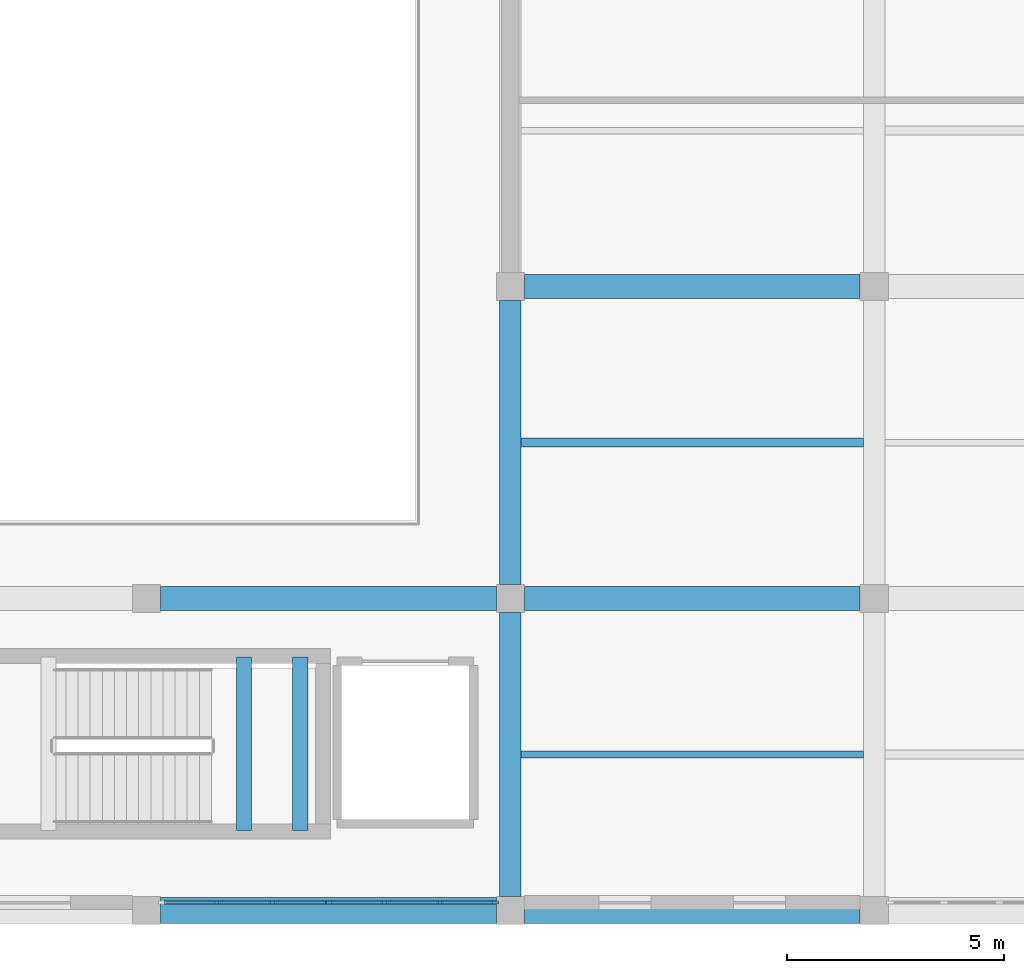
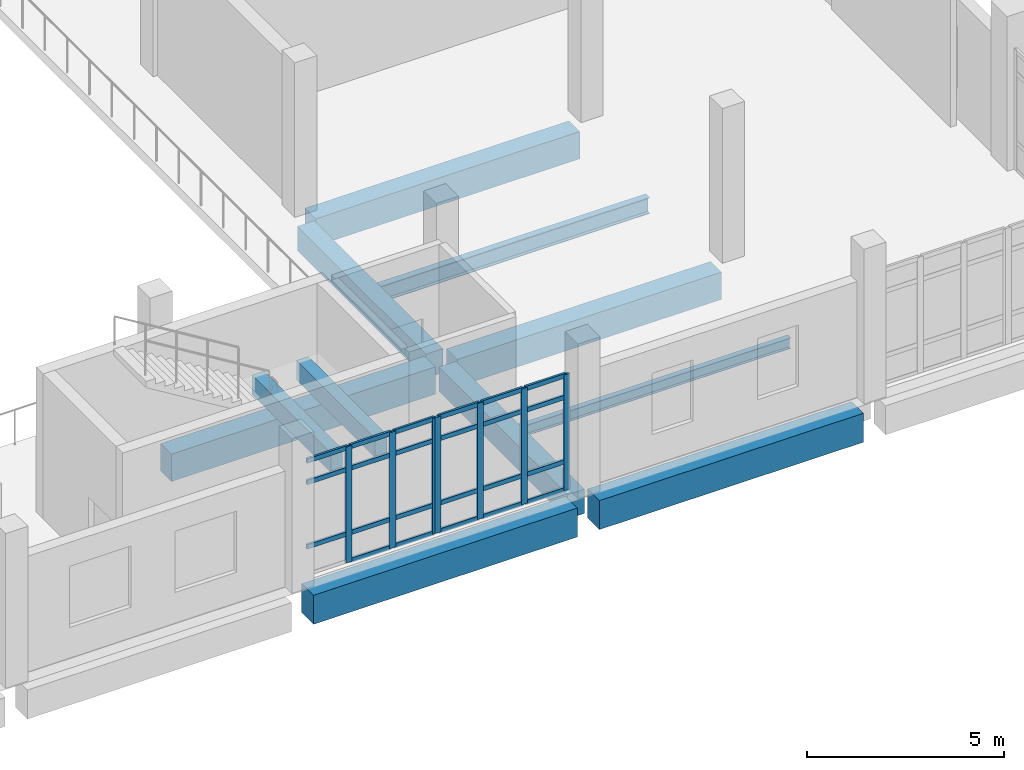
# One storey, part 3 of 90: 30 members, 11 beams, 2 elements without a shape of their own.
"""IFC4 building model written with IfcOpenShell, lengths in metres."""

from ifc_helpers import new_model, si_unit, direction, frame, origin, origin_2d, place, context, subcontext, project, spatial, rectangle, i_section, extrude, material, layer, layer_set, material_profile, profile_set, type_object, element, aggregate, save


model = new_model("IFC4")

# Units and contexts
model_context = context("Model", 3, precision=1e-05, world=origin(), true_north=direction((0.0, 1.0)))
body_context = subcontext(model_context, "Body", "Model", "MODEL_VIEW")
ifc_project = project(units=[si_unit("LENGTHUNIT", "METRE"), si_unit("AREAUNIT", "SQUARE_METRE"), si_unit("VOLUMEUNIT", "CUBIC_METRE"), si_unit("PLANEANGLEUNIT", "RADIAN"), si_unit("MASSUNIT", "GRAM", prefix="KILO")], contexts=[model_context])

# Site, building, storey
site_placement = place(None, origin())
site = spatial("IfcSite", under=ifc_project, at=site_placement, CompositionType="ELEMENT")
building_placement = place(site_placement, origin())
building = spatial("IfcBuilding", under=site, at=building_placement, Name="Kelarvand Opera House", CompositionType="ELEMENT")
storey_placement = place(building_placement, frame((0.0, 0.0, 5.39990234375)))
storey = spatial("IfcBuildingStorey", under=building, at=storey_placement, Name="L01", CompositionType="ELEMENT", Elevation=5.39990234375)

# Curtain wall, members
ifc_material_1 = material(Name="Thermally broken aluminium and low-E glazing", Category="aluminium")
ifc_layer = layer(ifc_material_1, 0.179931640625, Name="Thermally broken aluminium and low-E glazing", Category="aluminium")
ifc_layer_set = layer_set([ifc_layer], Name="Thermally broken aluminium and low-E glazing")
curtain_wall_type = type_object("IfcCurtainWallType", Name="Unitised Low-E Curtain Wall 3861x3600 Mod 1350 CWF-17", PredefinedType="USERDEFINED", material=ifc_layer_set)
curtain_wall_1_placement = place(storey_placement, origin())
curtain_wall_1 = element("IfcCurtainWall", 1, at=curtain_wall_1_placement, inside=storey, type_object=curtain_wall_type, Name="V4 L01 Curtain Wall CWF-17 (135)", ObjectType="UNITISED CURTAIN WALL", PredefinedType="USERDEFINED")
ifc_material_2 = material(Name="Thermally broken anodised aluminium", Category="aluminium")
ifc_material_profile_1 = material_profile(ifc_material_2, rectangle(XDim=0.06494140625, YDim=0.179931640625, at=origin_2d()), Name="ALU MULLION 65x180", Category="aluminium")
ifc_profile_set_1 = profile_set([ifc_material_profile_1], Name="Thermally broken anodised aluminium")
member_type_1 = type_object("IfcMemberType", Name="Curtain Wall Mullion 65x180 Aluminium", PredefinedType="MULLION", material=ifc_profile_set_1)
member_1_placement = place(storey_placement, frame((33.83251953125, 9.179931640625, 0.0), z_axis=(0.0, 0.0, 1.0), x_axis=(0.0, -1.0, 0.0)))
member_1 = element("IfcMember", 2, at=member_1_placement, type_object=member_type_1, Name="CWF-17 mullion 1", PredefinedType="MULLION", context=body_context, shape_type="SweptSolid", body=[
    extrude(rectangle(XDim=0.06494140625, YDim=0.179931640625, at=origin_2d()), origin(), (0.0, 0.0, 1.0), 3.60009765625),
])
member_2_placement = place(storey_placement, frame((32.577880859375, 9.179931640625, 0.0), z_axis=(0.0, 0.0, 1.0), x_axis=(0.0, -1.0, 0.0)))
member_2 = element("IfcMember", 3, at=member_2_placement, type_object=member_type_1, Name="CWF-17 mullion 2", PredefinedType="MULLION", context=body_context, shape_type="SweptSolid", body=[
    extrude(rectangle(XDim=0.06494140625, YDim=0.179931640625, at=origin_2d()), origin(), (0.0, 0.0, 1.0), 3.60009765625),
])
member_3_placement = place(storey_placement, frame((31.291015625, 9.179931640625, 0.0), z_axis=(0.0, 0.0, 1.0), x_axis=(0.0, -1.0, 0.0)))
member_3 = element("IfcMember", 4, at=member_3_placement, type_object=member_type_1, Name="CWF-17 mullion 3", PredefinedType="MULLION", context=body_context, shape_type="SweptSolid", body=[
    extrude(rectangle(XDim=0.06494140625, YDim=0.179931640625, at=origin_2d()), origin(), (0.0, 0.0, 1.0), 3.60009765625),
])
member_4_placement = place(storey_placement, frame((30.03662109375, 9.179931640625, 0.0), z_axis=(0.0, 0.0, 1.0), x_axis=(0.0, -1.0, 0.0)))
member_4 = element("IfcMember", 5, at=member_4_placement, type_object=member_type_1, Name="CWF-17 mullion 4", PredefinedType="MULLION", context=body_context, shape_type="SweptSolid", body=[
    extrude(rectangle(XDim=0.06494140625, YDim=0.179931640625, at=origin_2d()), origin(), (0.0, 0.0, 1.0), 3.60009765625),
])

curtain_wall_2_placement = place(storey_placement, origin())
curtain_wall_2 = element("IfcCurtainWall", 6, at=curtain_wall_2_placement, inside=storey, type_object=curtain_wall_type, Name="V4 L01 Curtain Wall CWF-17 (136)", ObjectType="UNITISED CURTAIN WALL", PredefinedType="USERDEFINED")
member_5_placement = place(storey_placement, frame((29.967529296875, 9.179931640625, 0.0), z_axis=(0.0, 0.0, 1.0), x_axis=(0.0, -1.0, 0.0)))
member_5 = element("IfcMember", 7, at=member_5_placement, type_object=member_type_1, Name="CWF-17 mullion 1", PredefinedType="MULLION", context=body_context, shape_type="SweptSolid", body=[
    extrude(rectangle(XDim=0.06494140625, YDim=0.179931640625, at=origin_2d()), origin(), (0.0, 0.0, 1.0), 3.60009765625),
])
member_6_placement = place(storey_placement, frame((28.711669921875, 9.179931640625, 0.0), z_axis=(0.0, 0.0, 1.0), x_axis=(0.0, -1.0, 0.0)))
member_6 = element("IfcMember", 8, at=member_6_placement, type_object=member_type_1, Name="CWF-17 mullion 2", PredefinedType="MULLION", context=body_context, shape_type="SweptSolid", body=[
    extrude(rectangle(XDim=0.06494140625, YDim=0.179931640625, at=origin_2d()), origin(), (0.0, 0.0, 1.0), 3.60009765625),
])
member_7_placement = place(storey_placement, frame((27.42333984375, 9.179931640625, 0.0), z_axis=(0.0, 0.0, 1.0), x_axis=(0.0, -1.0, 0.0)))
member_7 = element("IfcMember", 9, at=member_7_placement, type_object=member_type_1, Name="CWF-17 mullion 3", PredefinedType="MULLION", context=body_context, shape_type="SweptSolid", body=[
    extrude(rectangle(XDim=0.06494140625, YDim=0.179931640625, at=origin_2d()), origin(), (0.0, 0.0, 1.0), 3.60009765625),
])

# Member
ifc_material_profile_2 = material_profile(ifc_material_2, rectangle(XDim=0.06494140625, YDim=0.139892578125, at=origin_2d()), Name="ALU TRANSOM 65x140", Category="aluminium")
ifc_profile_set_2 = profile_set([ifc_material_profile_2], Name="Thermally broken anodised aluminium")
member_type_2 = type_object("IfcMemberType", Name="Curtain Wall Transom 65x140 Aluminium", PredefinedType="USERDEFINED", material=ifc_profile_set_2)
member_8_placement = place(storey_placement, frame((33.800048828125, 9.179931640625, 0.03271484375), z_axis=(-1.0, 0.0, 0.0), x_axis=(0.0, -1.0, 0.0)))
member_8 = element("IfcMember", 10, at=member_8_placement, type_object=member_type_2, Name="CWF-17 transom 1.1", ObjectType="TRANSOM", PredefinedType="USERDEFINED", context=body_context, shape_type="SweptSolid", body=[
    extrude(rectangle(XDim=0.06494140625, YDim=0.139892578125, at=origin_2d()), origin(), (0.0, 0.0, 1.0), 1.189453125),
])

member_9_placement = place(storey_placement, frame((33.800048828125, 9.179931640625, 0.900146484375), z_axis=(-1.0, 0.0, 0.0), x_axis=(0.0, -1.0, 0.0)))
member_9 = element("IfcMember", 11, at=member_9_placement, type_object=member_type_2, Name="CWF-17 transom 1.2", ObjectType="TRANSOM", PredefinedType="USERDEFINED", context=body_context, shape_type="SweptSolid", body=[
    extrude(rectangle(XDim=0.06494140625, YDim=0.139892578125, at=origin_2d()), origin(), (0.0, 0.0, 1.0), 1.189453125),
])

member_10_placement = place(storey_placement, frame((33.800048828125, 9.179931640625, 2.900146484375), z_axis=(-1.0, 0.0, 0.0), x_axis=(0.0, -1.0, 0.0)))
member_10 = element("IfcMember", 12, at=member_10_placement, type_object=member_type_2, Name="CWF-17 transom 1.3", ObjectType="TRANSOM", PredefinedType="USERDEFINED", context=body_context, shape_type="SweptSolid", body=[
    extrude(rectangle(XDim=0.06494140625, YDim=0.139892578125, at=origin_2d()), origin(), (0.0, 0.0, 1.0), 1.189453125),
])

member_11_placement = place(storey_placement, frame((33.800048828125, 9.179931640625, 3.567626953125), z_axis=(-1.0, 0.0, 0.0), x_axis=(0.0, -1.0, 0.0)))
member_11 = element("IfcMember", 13, at=member_11_placement, type_object=member_type_2, Name="CWF-17 transom 1.4", ObjectType="TRANSOM", PredefinedType="USERDEFINED", context=body_context, shape_type="SweptSolid", body=[
    extrude(rectangle(XDim=0.06494140625, YDim=0.139892578125, at=origin_2d()), origin(), (0.0, 0.0, 1.0), 1.189453125),
])

member_12_placement = place(storey_placement, frame((32.54541015625, 9.179931640625, 0.03271484375), z_axis=(-1.0, 0.0, 0.0), x_axis=(0.0, -1.0, 0.0)))
member_12 = element("IfcMember", 14, at=member_12_placement, type_object=member_type_2, Name="CWF-17 transom 2.1", ObjectType="TRANSOM", PredefinedType="USERDEFINED", context=body_context, shape_type="SweptSolid", body=[
    extrude(rectangle(XDim=0.06494140625, YDim=0.139892578125, at=origin_2d()), origin(), (0.0, 0.0, 1.0), 1.221923828125),
])

member_13_placement = place(storey_placement, frame((32.54541015625, 9.179931640625, 0.900146484375), z_axis=(-1.0, 0.0, 0.0), x_axis=(0.0, -1.0, 0.0)))
member_13 = element("IfcMember", 15, at=member_13_placement, type_object=member_type_2, Name="CWF-17 transom 2.2", ObjectType="TRANSOM", PredefinedType="USERDEFINED", context=body_context, shape_type="SweptSolid", body=[
    extrude(rectangle(XDim=0.06494140625, YDim=0.139892578125, at=origin_2d()), origin(), (0.0, 0.0, 1.0), 1.221923828125),
])

member_14_placement = place(storey_placement, frame((32.54541015625, 9.179931640625, 2.900146484375), z_axis=(-1.0, 0.0, 0.0), x_axis=(0.0, -1.0, 0.0)))
member_14 = element("IfcMember", 16, at=member_14_placement, type_object=member_type_2, Name="CWF-17 transom 2.3", ObjectType="TRANSOM", PredefinedType="USERDEFINED", context=body_context, shape_type="SweptSolid", body=[
    extrude(rectangle(XDim=0.06494140625, YDim=0.139892578125, at=origin_2d()), origin(), (0.0, 0.0, 1.0), 1.221923828125),
])

member_15_placement = place(storey_placement, frame((32.54541015625, 9.179931640625, 3.567626953125), z_axis=(-1.0, 0.0, 0.0), x_axis=(0.0, -1.0, 0.0)))
member_15 = element("IfcMember", 17, at=member_15_placement, type_object=member_type_2, Name="CWF-17 transom 2.4", ObjectType="TRANSOM", PredefinedType="USERDEFINED", context=body_context, shape_type="SweptSolid", body=[
    extrude(rectangle(XDim=0.06494140625, YDim=0.139892578125, at=origin_2d()), origin(), (0.0, 0.0, 1.0), 1.221923828125),
])

member_16_placement = place(storey_placement, frame((31.258544921875, 9.179931640625, 0.03271484375), z_axis=(-1.0, 0.0, 0.0), x_axis=(0.0, -1.0, 0.0)))
member_16 = element("IfcMember", 18, at=member_16_placement, type_object=member_type_2, Name="CWF-17 transom 3.1", ObjectType="TRANSOM", PredefinedType="USERDEFINED", context=body_context, shape_type="SweptSolid", body=[
    extrude(rectangle(XDim=0.06494140625, YDim=0.139892578125, at=origin_2d()), origin(), (0.0, 0.0, 1.0), 1.189453125),
])

member_17_placement = place(storey_placement, frame((31.258544921875, 9.179931640625, 0.900146484375), z_axis=(-1.0, 0.0, 0.0), x_axis=(0.0, -1.0, 0.0)))
member_17 = element("IfcMember", 19, at=member_17_placement, type_object=member_type_2, Name="CWF-17 transom 3.2", ObjectType="TRANSOM", PredefinedType="USERDEFINED", context=body_context, shape_type="SweptSolid", body=[
    extrude(rectangle(XDim=0.06494140625, YDim=0.139892578125, at=origin_2d()), origin(), (0.0, 0.0, 1.0), 1.189453125),
])

member_18_placement = place(storey_placement, frame((31.258544921875, 9.179931640625, 2.900146484375), z_axis=(-1.0, 0.0, 0.0), x_axis=(0.0, -1.0, 0.0)))
member_18 = element("IfcMember", 20, at=member_18_placement, type_object=member_type_2, Name="CWF-17 transom 3.3", ObjectType="TRANSOM", PredefinedType="USERDEFINED", context=body_context, shape_type="SweptSolid", body=[
    extrude(rectangle(XDim=0.06494140625, YDim=0.139892578125, at=origin_2d()), origin(), (0.0, 0.0, 1.0), 1.189453125),
])

member_19_placement = place(storey_placement, frame((31.258544921875, 9.179931640625, 3.567626953125), z_axis=(-1.0, 0.0, 0.0), x_axis=(0.0, -1.0, 0.0)))
member_19 = element("IfcMember", 21, at=member_19_placement, type_object=member_type_2, Name="CWF-17 transom 3.4", ObjectType="TRANSOM", PredefinedType="USERDEFINED", context=body_context, shape_type="SweptSolid", body=[
    extrude(rectangle(XDim=0.06494140625, YDim=0.139892578125, at=origin_2d()), origin(), (0.0, 0.0, 1.0), 1.189453125),
])

aggregate(curtain_wall_1, [member_1, member_2, member_3, member_4, member_8, member_9, member_10, member_11, member_12, member_13, member_14, member_15, member_16, member_17, member_18, member_19])

member_20_placement = place(storey_placement, frame((29.93505859375, 9.179931640625, 0.03271484375), z_axis=(-1.0, 0.0, 0.0), x_axis=(0.0, -1.0, 0.0)))
member_20 = element("IfcMember", 22, at=member_20_placement, type_object=member_type_2, Name="CWF-17 transom 1.1", ObjectType="TRANSOM", PredefinedType="USERDEFINED", context=body_context, shape_type="SweptSolid", body=[
    extrude(rectangle(XDim=0.06494140625, YDim=0.139892578125, at=origin_2d()), origin(), (0.0, 0.0, 1.0), 1.19091796875),
])

member_21_placement = place(storey_placement, frame((29.93505859375, 9.179931640625, 0.900146484375), z_axis=(-1.0, 0.0, 0.0), x_axis=(0.0, -1.0, 0.0)))
member_21 = element("IfcMember", 23, at=member_21_placement, type_object=member_type_2, Name="CWF-17 transom 1.2", ObjectType="TRANSOM", PredefinedType="USERDEFINED", context=body_context, shape_type="SweptSolid", body=[
    extrude(rectangle(XDim=0.06494140625, YDim=0.139892578125, at=origin_2d()), origin(), (0.0, 0.0, 1.0), 1.19091796875),
])

member_22_placement = place(storey_placement, frame((29.93505859375, 9.179931640625, 2.900146484375), z_axis=(-1.0, 0.0, 0.0), x_axis=(0.0, -1.0, 0.0)))
member_22 = element("IfcMember", 24, at=member_22_placement, type_object=member_type_2, Name="CWF-17 transom 1.3", ObjectType="TRANSOM", PredefinedType="USERDEFINED", context=body_context, shape_type="SweptSolid", body=[
    extrude(rectangle(XDim=0.06494140625, YDim=0.139892578125, at=origin_2d()), origin(), (0.0, 0.0, 1.0), 1.19091796875),
])

member_23_placement = place(storey_placement, frame((29.93505859375, 9.179931640625, 3.567626953125), z_axis=(-1.0, 0.0, 0.0), x_axis=(0.0, -1.0, 0.0)))
member_23 = element("IfcMember", 25, at=member_23_placement, type_object=member_type_2, Name="CWF-17 transom 1.4", ObjectType="TRANSOM", PredefinedType="USERDEFINED", context=body_context, shape_type="SweptSolid", body=[
    extrude(rectangle(XDim=0.06494140625, YDim=0.139892578125, at=origin_2d()), origin(), (0.0, 0.0, 1.0), 1.19091796875),
])

member_24_placement = place(storey_placement, frame((28.67919921875, 9.179931640625, 0.03271484375), z_axis=(-1.0, 0.0, 0.0), x_axis=(0.0, -1.0, 0.0)))
member_24 = element("IfcMember", 26, at=member_24_placement, type_object=member_type_2, Name="CWF-17 transom 2.1", ObjectType="TRANSOM", PredefinedType="USERDEFINED", context=body_context, shape_type="SweptSolid", body=[
    extrude(rectangle(XDim=0.06494140625, YDim=0.139892578125, at=origin_2d()), origin(), (0.0, 0.0, 1.0), 1.223388671875),
])

member_25_placement = place(storey_placement, frame((28.67919921875, 9.179931640625, 0.900146484375), z_axis=(-1.0, 0.0, 0.0), x_axis=(0.0, -1.0, 0.0)))
member_25 = element("IfcMember", 27, at=member_25_placement, type_object=member_type_2, Name="CWF-17 transom 2.2", ObjectType="TRANSOM", PredefinedType="USERDEFINED", context=body_context, shape_type="SweptSolid", body=[
    extrude(rectangle(XDim=0.06494140625, YDim=0.139892578125, at=origin_2d()), origin(), (0.0, 0.0, 1.0), 1.223388671875),
])

member_26_placement = place(storey_placement, frame((28.67919921875, 9.179931640625, 2.900146484375), z_axis=(-1.0, 0.0, 0.0), x_axis=(0.0, -1.0, 0.0)))
member_26 = element("IfcMember", 28, at=member_26_placement, type_object=member_type_2, Name="CWF-17 transom 2.3", ObjectType="TRANSOM", PredefinedType="USERDEFINED", context=body_context, shape_type="SweptSolid", body=[
    extrude(rectangle(XDim=0.06494140625, YDim=0.139892578125, at=origin_2d()), origin(), (0.0, 0.0, 1.0), 1.223388671875),
])

member_27_placement = place(storey_placement, frame((28.67919921875, 9.179931640625, 3.567626953125), z_axis=(-1.0, 0.0, 0.0), x_axis=(0.0, -1.0, 0.0)))
member_27 = element("IfcMember", 29, at=member_27_placement, type_object=member_type_2, Name="CWF-17 transom 2.4", ObjectType="TRANSOM", PredefinedType="USERDEFINED", context=body_context, shape_type="SweptSolid", body=[
    extrude(rectangle(XDim=0.06494140625, YDim=0.139892578125, at=origin_2d()), origin(), (0.0, 0.0, 1.0), 1.223388671875),
])

member_28_placement = place(storey_placement, frame((27.390869140625, 9.179931640625, 0.900146484375), z_axis=(-1.0, 0.0, 0.0), x_axis=(0.0, -1.0, 0.0)))
member_28 = element("IfcMember", 30, at=member_28_placement, type_object=member_type_2, Name="CWF-17 transom 3.2", ObjectType="TRANSOM", PredefinedType="USERDEFINED", context=body_context, shape_type="SweptSolid", body=[
    extrude(rectangle(XDim=0.06494140625, YDim=0.139892578125, at=origin_2d()), origin(), (0.0, 0.0, 1.0), 1.19091796875),
])

member_29_placement = place(storey_placement, frame((27.390869140625, 9.179931640625, 2.900146484375), z_axis=(-1.0, 0.0, 0.0), x_axis=(0.0, -1.0, 0.0)))
member_29 = element("IfcMember", 31, at=member_29_placement, type_object=member_type_2, Name="CWF-17 transom 3.3", ObjectType="TRANSOM", PredefinedType="USERDEFINED", context=body_context, shape_type="SweptSolid", body=[
    extrude(rectangle(XDim=0.06494140625, YDim=0.139892578125, at=origin_2d()), origin(), (0.0, 0.0, 1.0), 1.19091796875),
])

member_30_placement = place(storey_placement, frame((27.390869140625, 9.179931640625, 3.567626953125), z_axis=(-1.0, 0.0, 0.0), x_axis=(0.0, -1.0, 0.0)))
member_30 = element("IfcMember", 32, at=member_30_placement, type_object=member_type_2, Name="CWF-17 transom 3.4", ObjectType="TRANSOM", PredefinedType="USERDEFINED", context=body_context, shape_type="SweptSolid", body=[
    extrude(rectangle(XDim=0.06494140625, YDim=0.139892578125, at=origin_2d()), origin(), (0.0, 0.0, 1.0), 1.19091796875),
])

aggregate(curtain_wall_2, [member_5, member_6, member_7, member_20, member_21, member_22, member_23, member_24, member_25, member_26, member_27, member_28, member_29, member_30])

# Beams
ifc_material_3 = material(Name="Concrete C35/45", Category="concrete")
ifc_material_profile_3 = material_profile(ifc_material_3, rectangle(XDim=0.35009765625, YDim=0.60009765625, at=origin_2d()), Name="RC 350x600", Category="concrete")
ifc_profile_set_3 = profile_set([ifc_material_profile_3], Name="Concrete C35/45")
beam_type_1 = type_object("IfcBeamType", Name="Structural Beam RC 350x600 BM-RC350x600", PredefinedType="BEAM", material=ifc_profile_set_3)
for number, where, z_axis, x_axis, name in (
    (33, (28.050048828125, 10.85009765625, 1.900146484375), (0.0, 1.0, 0.0), (-1.0, 0.0, 0.0), "C6 Stair Half-Landing Beam 1 L01"),
    (34, (29.35009765625, 10.85009765625, 1.900146484375), (0.0, 1.0, 0.0), (-1.0, 0.0, 0.0), "C6 Stair Half-Landing Beam 2 L01"),
):
    element("IfcBeam", number, at=place(storey_placement, frame(where, z_axis=z_axis, x_axis=x_axis)), inside=storey, type_object=beam_type_1, Name=name, PredefinedType="BEAM", context=body_context, shape_type="SweptSolid", body=[
        extrude(rectangle(XDim=0.35009765625, YDim=0.60009765625, at=origin_2d()), origin(), (0.0, 0.0, 1.0), 4.0),
    ])
ifc_material_4 = material(Name="Concrete C40/50", Category="concrete")
ifc_material_profile_4 = material_profile(ifc_material_4, rectangle(XDim=0.5, YDim=0.75, at=origin_2d()), Name="RC 500x750", Category="concrete")
ifc_profile_set_4 = profile_set([ifc_material_profile_4], Name="Concrete C40/50")
beam_type_2 = type_object("IfcBeamType", Name="Structural Beam RC 500x750 BM-RC500x750", PredefinedType="BEAM", material=ifc_profile_set_4)
for number, where, z_axis, x_axis, name in (
    (35, (34.199951171875, 9.324951171875, -0.6748046875), (0.0, 1.0, 0.0), (-1.0, 0.0, 0.0), "V4 L01 Beam BM-RC500x750"),
    (36, (34.199951171875, 16.52490234375, -0.6748046875), (0.0, 1.0, 0.0), (-1.0, 0.0, 0.0), "V4 L01 Beam BM-RC500x750"),
):
    element("IfcBeam", number, at=place(storey_placement, frame(where, z_axis=z_axis, x_axis=x_axis)), inside=storey, type_object=beam_type_2, Name=name, PredefinedType="BEAM", context=body_context, shape_type="SweptSolid", body=[
        extrude(rectangle(XDim=0.5, YDim=0.75, at=origin_2d()), origin(), (0.0, 0.0, 1.0), 6.550048828125),
    ])
ifc_material_profile_5 = material_profile(ifc_material_4, rectangle(XDim=0.550048828125, YDim=0.85009765625, at=origin_2d()), Name="RC 550x850", Category="concrete")
ifc_profile_set_5 = profile_set([ifc_material_profile_5], Name="Concrete C40/50")
beam_type_3 = type_object("IfcBeamType", Name="Structural Beam RC 550x850 BM-RC550x850", PredefinedType="BEAM", material=ifc_profile_set_5)
for number, where, z_axis, x_axis, name in (
    (37, (26.125, 16.199951171875, -0.724853515625), (1.0, 0.0, 0.0), (0.0, 1.0, 0.0), "V4 L01 Beam BM-RC550x850"),
    (38, (34.52490234375, 16.199951171875, -0.724853515625), (1.0, 0.0, 0.0), (0.0, 1.0, 0.0), "V4 L01 Beam BM-RC550x850"),
    (39, (34.52490234375, 23.39990234375, -0.724853515625), (1.0, 0.0, 0.0), (0.0, 1.0, 0.0), "V4 L01 Beam BM-RC550x850"),
):
    element("IfcBeam", number, at=place(storey_placement, frame(where, z_axis=z_axis, x_axis=x_axis)), inside=storey, type_object=beam_type_3, Name=name, PredefinedType="BEAM", context=body_context, shape_type="SweptSolid", body=[
        extrude(rectangle(XDim=0.550048828125, YDim=0.85009765625, at=origin_2d()), origin(), (0.0, 0.0, 1.0), 7.75),
    ])
ifc_material_5 = material(Name="Steel S355", Category="steel")
ifc_material_profile_6 = material_profile(ifc_material_5, i_section(OverallWidth=0.159912109375, OverallDepth=0.330078125, WebThickness=0.007568359375, FlangeThickness=0.011474609375, at=origin_2d()), Name="IPE 330", Category="steel")
ifc_profile_set_6 = profile_set([ifc_material_profile_6], Name="Steel S355")
beam_type_4 = type_object("IfcBeamType", Name="Structural Joist IPE 330 JS-IPE330", PredefinedType="JOIST", material=ifc_profile_set_6)
beam_1_placement = place(storey_placement, frame((34.449951171875, 12.60009765625, -0.46484375), z_axis=(1.0, 0.0, 0.0), x_axis=(0.0, 1.0, 0.0)))
element("IfcBeam", 40, at=beam_1_placement, inside=storey, type_object=beam_type_4, Name="V4 L01 Beam JS-IPE330", PredefinedType="JOIST", context=body_context, shape_type="SweptSolid", body=[
    extrude(i_section(OverallWidth=0.159912109375, OverallDepth=0.330078125, WebThickness=0.007568359375, FlangeThickness=0.011474609375, at=origin_2d()), origin(), (0.0, 0.0, 1.0), 7.900146484375),
])
ifc_material_profile_7 = material_profile(ifc_material_5, i_section(OverallWidth=0.199951171875, OverallDepth=0.5, WebThickness=0.01025390625, FlangeThickness=0.01611328125, at=origin_2d()), Name="IPE 500", Category="steel")
ifc_profile_set_7 = profile_set([ifc_material_profile_7], Name="Steel S355")
beam_type_5 = type_object("IfcBeamType", Name="Structural Joist IPE 500 JS-IPE500", PredefinedType="JOIST", material=ifc_profile_set_7)
beam_2_placement = place(storey_placement, frame((34.449951171875, 19.800048828125, -0.5498046875), z_axis=(1.0, 0.0, 0.0), x_axis=(0.0, 1.0, 0.0)))
element("IfcBeam", 41, at=beam_2_placement, inside=storey, type_object=beam_type_5, Name="V4 L01 Beam JS-IPE500", PredefinedType="JOIST", context=body_context, shape_type="SweptSolid", body=[
    extrude(i_section(OverallWidth=0.199951171875, OverallDepth=0.5, WebThickness=0.01025390625, FlangeThickness=0.01611328125, at=origin_2d()), origin(), (0.0, 0.0, 1.0), 7.900146484375),
])
ifc_material_profile_8 = material_profile(ifc_material_4, rectangle(XDim=0.60009765625, YDim=0.89990234375, at=origin_2d()), Name="RC 600x900", Category="concrete")
ifc_profile_set_8 = profile_set([ifc_material_profile_8], Name="Concrete C40/50")
beam_type_6 = type_object("IfcBeamType", Name="Structural Spandrel RC 600x900 SP-RC600x900E", PredefinedType="SPANDREL", material=ifc_profile_set_8)
for number, where, z_axis, x_axis, name in (
    (42, (26.125, 9.0, -0.75), (1.0, 0.0, 0.0), (0.0, 1.0, 0.0), "V4 L01 Beam SP-RC600x900E"),
    (43, (34.52490234375, 9.0, -0.75), (1.0, 0.0, 0.0), (0.0, 1.0, 0.0), "V4 L01 Beam SP-RC600x900E"),
):
    element("IfcBeam", number, at=place(storey_placement, frame(where, z_axis=z_axis, x_axis=x_axis)), inside=storey, type_object=beam_type_6, Name=name, PredefinedType="SPANDREL", context=body_context, shape_type="SweptSolid", body=[
        extrude(rectangle(XDim=0.60009765625, YDim=0.89990234375, at=origin_2d()), origin(), (0.0, 0.0, 1.0), 7.75),
    ])

save(model, "model.ifc")
